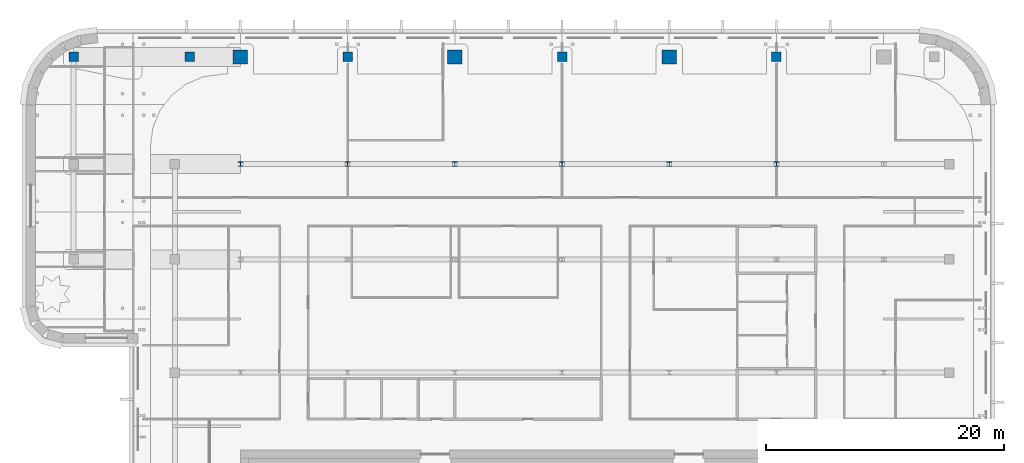
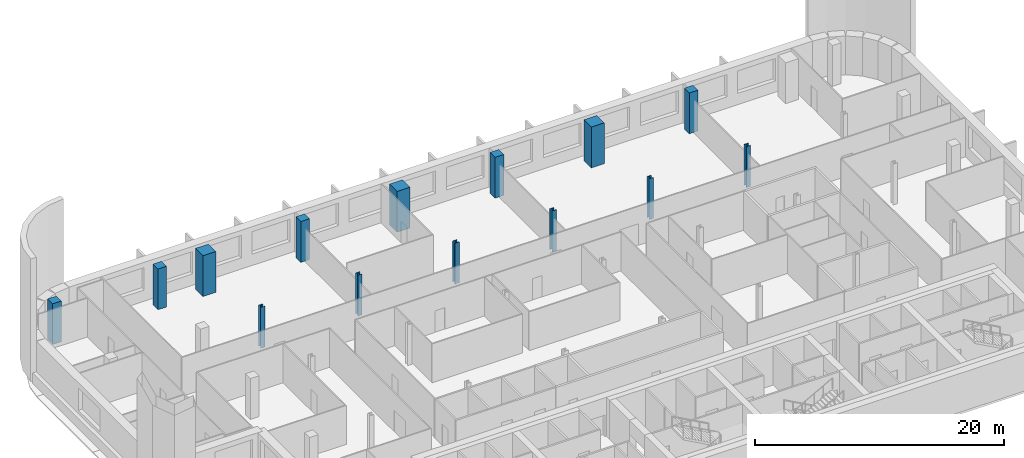
# One storey, part 3 of 19: 14 columns.
"""IFC4 building model written with IfcOpenShell, lengths in metres."""

import ifcopenshell
import ifcopenshell.guid

model = None  # the IFC model being written
_history = None  # IfcOwnerHistory: only IFC2X3 demands one
_inside = {}  # id of a spatial element -> (the spatial element, [elements in it])
_under = {}  # id of a project, library or spatial element -> (it, [spatial elements below it])
_declared = {}  # id of a project -> (the project, [libraries it declares])
_typed = {}  # id of a type object -> (the type object, [elements of that type])
_made_of = {}  # id of a material, layer set ... -> (it, [elements and type objects made of it])


def new_model(schema):
    """Start an empty IFC model of exactly this schema.

    Asked for "IFC4X3", IfcOpenShell would pick the latest addendum, in which some entities
    have other attributes; the version numbers below select the first issue.
    IFC2X3 requires an IfcOwnerHistory on every rooted entity: one is made here for all.
    """
    global model, _history
    if schema == "IFC4X3":
        model = ifcopenshell.file(schema_version=(4, 3, 0, 0))
    else:
        model = ifcopenshell.file(schema=schema)
    _inside.clear()
    _under.clear()
    _declared.clear()
    _typed.clear()
    _made_of.clear()
    _history = None
    if model.schema == "IFC2X3":
        org = make("IfcOrganization", Name="unknown")
        user = make(
            "IfcPersonAndOrganization",
            ThePerson=make("IfcPerson", FamilyName="unknown"),
            TheOrganization=org,
        )
        app = make(
            "IfcApplication",
            ApplicationDeveloper=org,
            Version="unknown",
            ApplicationFullName="unknown",
            ApplicationIdentifier="unknown",
        )
        _history = make(
            "IfcOwnerHistory",
            OwningUser=user,
            OwningApplication=app,
            ChangeAction="ADDED",
            CreationDate=0,
        )
    return model


def make(cls, **values):
    """One entity of the class cls with the attributes given. An attribute that is None is left unset."""
    return model.create_entity(
        cls, **{name: value for name, value in values.items() if value is not None}
    )


def rooted(cls, **values):
    """An entity with a GlobalId (a new one), such as an element, a storey or a relation."""
    return make(cls, GlobalId=ifcopenshell.guid.new(), OwnerHistory=_history, **values)


def si_unit(unit_type, name, prefix=None):
    """IfcSIUnit, for example si_unit("LENGTHUNIT", "METRE", prefix="MILLI")."""
    return make("IfcSIUnit", UnitType=unit_type, Prefix=prefix, Name=name)


def assignment(units):
    """IfcUnitAssignment: the units of a project."""
    return None if units is None else make("IfcUnitAssignment", Units=units)


def point(xyz):
    """IfcCartesianPoint."""
    return None if xyz is None else make("IfcCartesianPoint", Coordinates=xyz)


def direction(xyz):
    """IfcDirection."""
    return None if xyz is None else make("IfcDirection", DirectionRatios=xyz)


def frame(location, z_axis=None, x_axis=None):
    """IfcAxis2Placement3D, a coordinate frame: its origin and axes. An axis left out is left unset."""
    return make(
        "IfcAxis2Placement3D",
        Location=point(location),
        Axis=direction(z_axis),
        RefDirection=direction(x_axis),
    )


def frame_2d(location, x_axis=None):
    """IfcAxis2Placement2D, a coordinate frame in the plane: its origin and x axis."""
    return make(
        "IfcAxis2Placement2D", Location=point(location), RefDirection=direction(x_axis)
    )


def origin():
    """The frame at (0, 0, 0) with its axes left unset."""
    return frame((0.0, 0.0, 0.0))


def origin_2d():
    """The frame at (0, 0) in the plane with its x axis left unset."""
    return frame_2d((0.0, 0.0))


def place(relative_to, where):
    """IfcLocalPlacement: puts the frame where relative to a parent placement (None: the world)."""
    return make(
        "IfcLocalPlacement", PlacementRelTo=relative_to, RelativePlacement=where
    )


def context(
    kind, dimensions, precision=None, world=None, true_north=None, identifier=None
):
    """IfcGeometricRepresentationContext, for example the 3D "Model" context."""
    return make(
        "IfcGeometricRepresentationContext",
        ContextIdentifier=identifier,
        ContextType=kind,
        CoordinateSpaceDimension=dimensions,
        Precision=precision,
        WorldCoordinateSystem=world,
        TrueNorth=true_north,
    )


def subcontext(parent, identifier, kind, view, scale=None):
    """IfcGeometricRepresentationSubContext, for example "Body" below "Model"."""
    return make(
        "IfcGeometricRepresentationSubContext",
        ContextIdentifier=identifier,
        ContextType=kind,
        ParentContext=parent,
        TargetScale=scale,
        TargetView=view,
    )


def project(units=None, contexts=None):
    """IfcProject with its units and contexts."""
    return rooted(
        "IfcProject",
        Name="project",
        RepresentationContexts=contexts,
        UnitsInContext=assignment(units),
    )


def spatial(cls, under=None, at=None, **own):
    """A site, building, storey or space (cls), placed at a placement, below another one or the project."""
    s = rooted(cls, ObjectPlacement=at, **own)
    if under is not None:
        _under.setdefault(under.id(), (under, []))[1].append(s)
    return s


def profile(cls, at=None, kind="AREA", **sizes):
    """A parametric profile (cls). Its sizes go by their IFC names, for example OverallWidth=200.0."""
    return make(cls, ProfileType=kind, Position=at, **sizes)


def rectangle(**sizes):
    """IfcRectangleProfileDef."""
    return profile("IfcRectangleProfileDef", **sizes)


def i_section(**sizes):
    """IfcIShapeProfileDef."""
    return profile("IfcIShapeProfileDef", **sizes)


def extrude(swept, where, along, depth):
    """IfcExtrudedAreaSolid: the profile swept, set in the frame where, extruded along a direction by depth."""
    return make(
        "IfcExtrudedAreaSolid",
        SweptArea=swept,
        Position=where,
        ExtrudedDirection=direction(along),
        Depth=depth,
    )


def shape(context_of_items, identifier, shape_type, items):
    """IfcShapeRepresentation: the items that make up one representation, for example the "Body"."""
    return make(
        "IfcShapeRepresentation",
        ContextOfItems=context_of_items,
        RepresentationIdentifier=identifier,
        RepresentationType=shape_type,
        Items=items,
    )


def material(Name=None, Category=None):
    """IfcMaterial."""
    return make("IfcMaterial", Name=Name, Category=Category)


def material_profile(
    of_material, cross_section, Name=None, Category=None, Priority=None
):
    """IfcMaterialProfile: a cross section and its material."""
    return make(
        "IfcMaterialProfile",
        Name=Name,
        Material=of_material,
        Profile=cross_section,
        Priority=Priority,
        Category=Category,
    )


def profile_set(profiles, Name=None, composite=None):
    """IfcMaterialProfileSet."""
    return make(
        "IfcMaterialProfileSet",
        Name=Name,
        MaterialProfiles=profiles,
        CompositeProfile=composite,
    )


def made_of(thing, what):
    """Note that an element or type object is made of a material, layer set ...; save() writes the relation."""
    if what is not None:
        _made_of.setdefault(what.id(), (what, []))[1].append(thing)
    return thing


def type_object(cls, material=None, **own):
    """A type object (cls), such as IfcWallType, which elements share."""
    return made_of(rooted(cls, **own), material)


def element(
    cls,
    number,
    at=None,
    inside=None,
    cuts=None,
    type_object=None,
    material=None,
    context=None,
    identifier="Body",
    shape_type=None,
    held_by="IfcProductDefinitionShape",
    body=None,
    shapes=None,
    **own,
):
    """One element of the class cls, such as IfcWall. Its Tag is "e" and its number.

    at: its placement. inside: the storey or other place that contains it. cuts: it is an
    opening in that element (IfcRelVoidsElement). A single representation is given by context,
    identifier, shape_type and body (its items); several are given by shapes. held_by: the class
    of the entity that holds the representations. save() writes the other relations.
    """
    e = rooted(cls, Tag="e%d" % number, ObjectPlacement=at, **own)
    if body is not None:
        shapes = [shape(context, identifier, shape_type, body)]
    if shapes is not None:
        e.Representation = make(held_by, Representations=shapes)
    if inside is not None:
        _inside.setdefault(inside.id(), (inside, []))[1].append(e)
    if cuts is not None:
        rooted(
            "IfcRelVoidsElement", RelatingBuildingElement=cuts, RelatedOpeningElement=e
        )
    if type_object is not None:
        _typed.setdefault(type_object.id(), (type_object, []))[1].append(e)
    return made_of(e, material)


def aggregate(whole, parts):
    """IfcRelAggregates: a whole, such as a stair, and the parts it consists of."""
    return rooted("IfcRelAggregates", RelatingObject=whole, RelatedObjects=parts)


def save(model, path):
    """Write the relations noted so far, then the file.

    IfcRelAggregates (storeys below a building ...), IfcRelContainedInSpatialStructure (elements
    in a storey), IfcRelDefinesByType, IfcRelAssociatesMaterial and IfcRelDeclares: one each for
    every whole, place, type object, material and project.
    """
    for whole, parts in _under.values():
        aggregate(whole, parts)
    for where, things in _inside.values():
        rooted(
            "IfcRelContainedInSpatialStructure",
            RelatedElements=things,
            RelatingStructure=where,
        )
    for kind, things in _typed.values():
        rooted("IfcRelDefinesByType", RelatedObjects=things, RelatingType=kind)
    for what, things in _made_of.values():
        rooted("IfcRelAssociatesMaterial", RelatedObjects=things, RelatingMaterial=what)
    for by, libraries in _declared.values():
        rooted("IfcRelDeclares", RelatingContext=by, RelatedDefinitions=libraries)
    model.write(path)


model = new_model("IFC4")

# Units and contexts
model_context = context("Model", 3, precision=1e-05, world=origin(), true_north=direction((0.0, 1.0)))
body_context = subcontext(model_context, "Body", "Model", "MODEL_VIEW")
ifc_project = project(units=[si_unit("LENGTHUNIT", "METRE"), si_unit("AREAUNIT", "SQUARE_METRE"), si_unit("VOLUMEUNIT", "CUBIC_METRE"), si_unit("PLANEANGLEUNIT", "RADIAN"), si_unit("MASSUNIT", "GRAM", prefix="KILO")], contexts=[model_context])

# Site, building, storey
site_placement = place(None, origin())
site = spatial("IfcSite", under=ifc_project, at=site_placement, CompositionType="ELEMENT")
building_placement = place(site_placement, origin())
building = spatial("IfcBuilding", under=site, at=building_placement, Name="Zellij Exchange Tower", CompositionType="ELEMENT")
storey_placement = place(building_placement, frame((0.0, 0.0, 220.5)))
storey = spatial("IfcBuildingStorey", under=building, at=storey_placement, Name="L51", CompositionType="ELEMENT", Elevation=220.5)

# Columns
ifc_material_1 = material(Name="Concrete C50/60", Category="concrete")
ifc_material_profile_1 = material_profile(ifc_material_1, rectangle(XDim=0.800048828125, YDim=0.800048828125, at=origin_2d()), Name="STR-COLUMN RC800x800 C50/60")
ifc_profile_set_1 = profile_set([ifc_material_profile_1], Name="Concrete C50/60")
column_type_1 = type_object("IfcColumnType", Name="STR-COLUMN RC800x800 C50/60", PredefinedType="COLUMN", material=ifc_profile_set_1)
for number, where, z_axis, x_axis, name in (
    (1, (-41.0, 31.0, 0.0), (0.0, 0.0, 1.0), (1.0, 0.0, 0.0), "C15"),
    (2, (-31.25, 31.0, 0.0), (0.0, 0.0, 1.0), (1.0, 0.0, 0.0), "C15"),
    (3, (-18.0, 31.0, 0.0), (0.0, 0.0, 1.0), (1.0, 0.0, 0.0), "C15"),
    (4, (0.0, 31.0, 0.0), (0.0, 0.0, 1.0), (1.0, 0.0, 0.0), "C15"),
    (5, (18.0, 31.0, 0.0), (0.0, 0.0, 1.0), (1.0, 0.0, 0.0), "C15"),
):
    element("IfcColumn", number, at=place(storey_placement, frame(where, z_axis=z_axis, x_axis=x_axis)), inside=storey, type_object=column_type_1, Name=name, PredefinedType="COLUMN", context=body_context, shape_type="SweptSolid", body=[
        extrude(rectangle(XDim=0.800048828125, YDim=0.800048828125, at=origin_2d()), origin(), (0.0, 0.0, 1.0), 4.0),
    ])
ifc_material_2 = material(Name="Structural steel ASTM A992 Gr 50", Category="steel")
ifc_material_profile_2 = material_profile(ifc_material_2, i_section(OverallWidth=0.398681640625, OverallDepth=0.385986328125, WebThickness=0.02099609375, FlangeThickness=0.033203125, at=origin_2d()), Name="W14x176")
ifc_profile_set_2 = profile_set([ifc_material_profile_2], Name="Structural steel ASTM A992 Gr 50")
column_type_2 = type_object("IfcColumnType", Name="STR-COLUMN W14x176", PredefinedType="COLUMN", material=ifc_profile_set_2)
for number, where, z_axis, x_axis, name in (
    (6, (-27.0, 22.0, 0.0), (0.0, 0.0, 1.0), (1.0, 0.0, 0.0), "C2"),
    (7, (-18.0, 22.0, 0.0), (0.0, 0.0, 1.0), (1.0, 0.0, 0.0), "C2"),
    (8, (-9.0, 22.0, 0.0), (0.0, 0.0, 1.0), (1.0, 0.0, 0.0), "C2"),
    (9, (0.0, 22.0, 0.0), (0.0, 0.0, 1.0), (1.0, 0.0, 0.0), "C2"),
    (10, (9.0, 22.0, 0.0), (0.0, 0.0, 1.0), (1.0, 0.0, 0.0), "C2"),
    (11, (18.0, 22.0, 0.0), (0.0, 0.0, 1.0), (1.0, 0.0, 0.0), "C2"),
):
    element("IfcColumn", number, at=place(storey_placement, frame(where, z_axis=z_axis, x_axis=x_axis)), inside=storey, type_object=column_type_2, Name=name, PredefinedType="COLUMN", context=body_context, shape_type="SweptSolid", body=[
        extrude(i_section(OverallWidth=0.398681640625, OverallDepth=0.385986328125, WebThickness=0.02099609375, FlangeThickness=0.033203125, at=origin_2d()), origin(), (0.0, 0.0, 1.0), 4.0),
    ])
ifc_material_profile_3 = material_profile(ifc_material_1, rectangle(XDim=1.199951171875, YDim=1.199951171875, at=origin_2d()), Name="STR-MEGA COLUMN RC1200x1200 C50/60")
ifc_profile_set_3 = profile_set([ifc_material_profile_3], Name="Concrete C50/60")
column_type_3 = type_object("IfcColumnType", Name="STR-MEGA COLUMN RC1200x1200 C50/60", PredefinedType="COLUMN", material=ifc_profile_set_3)
for number, where, z_axis, x_axis, name in (
    (12, (-27.0, 31.0, 0.0), (0.0, 0.0, 1.0), (1.0, 0.0, 0.0), "MC2"),
    (13, (-9.0, 31.0, 0.0), (0.0, 0.0, 1.0), (1.0, 0.0, 0.0), "MC2"),
    (14, (9.0, 31.0, 0.0), (0.0, 0.0, 1.0), (1.0, 0.0, 0.0), "MC2"),
):
    element("IfcColumn", number, at=place(storey_placement, frame(where, z_axis=z_axis, x_axis=x_axis)), inside=storey, type_object=column_type_3, Name=name, PredefinedType="COLUMN", context=body_context, shape_type="SweptSolid", body=[
        extrude(rectangle(XDim=1.199951171875, YDim=1.199951171875, at=origin_2d()), origin(), (0.0, 0.0, 1.0), 4.0),
    ])

save(model, "model.ifc")
